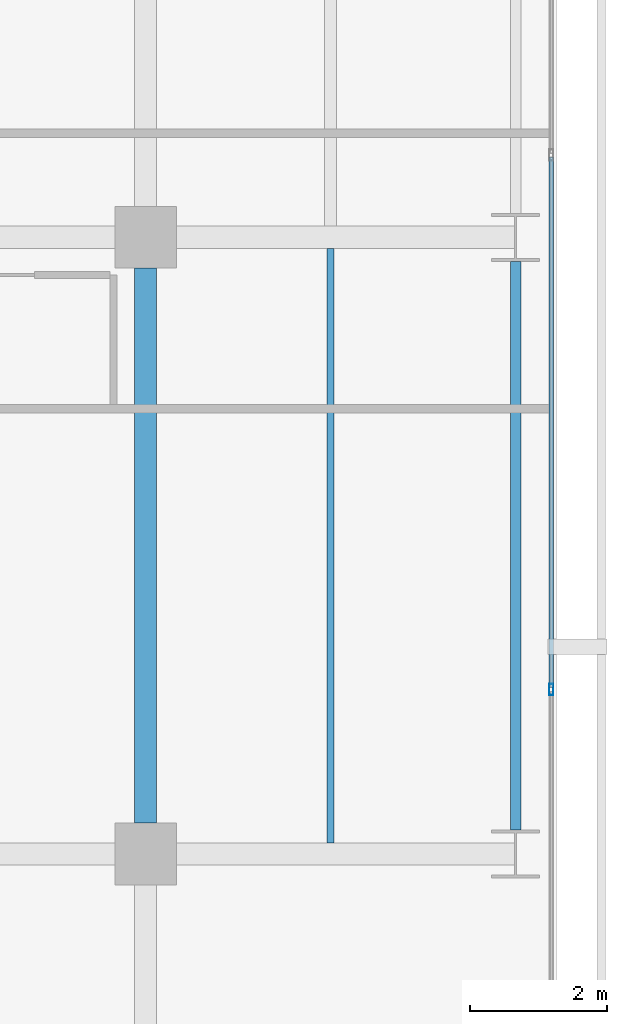
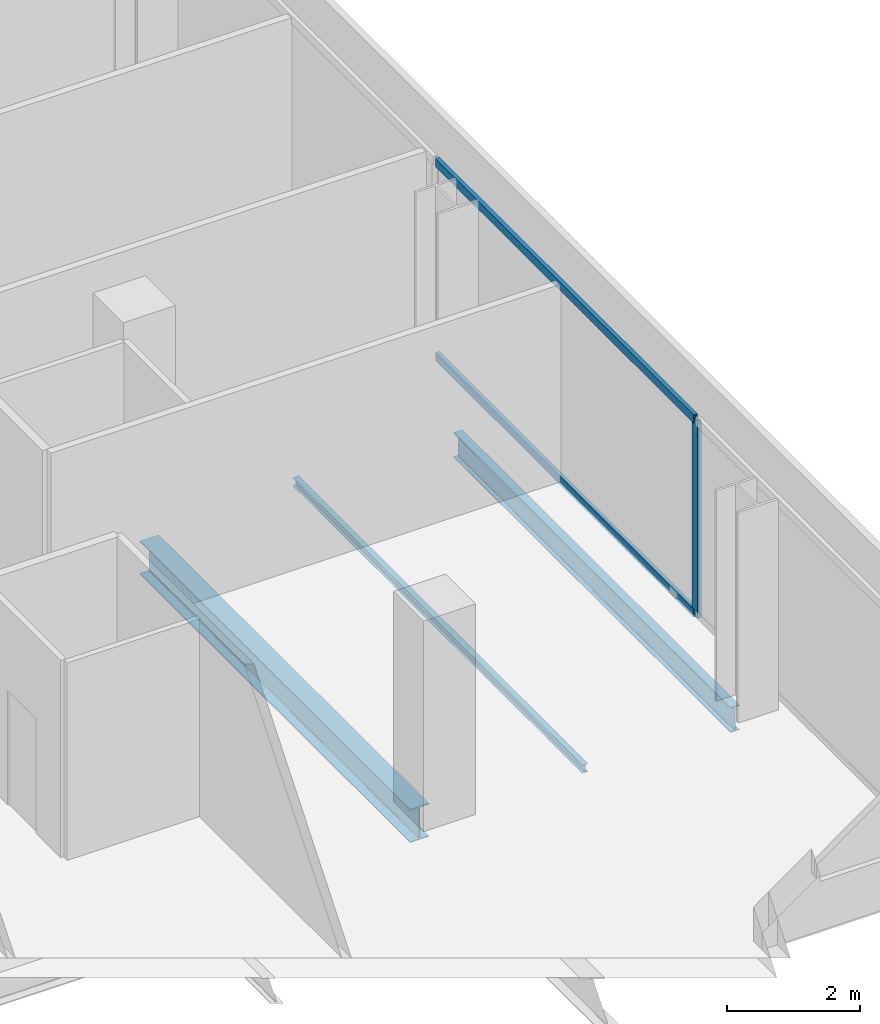
# One storey, part 17 of 40: 3 beams, 3 members, 1 element without a shape of its own.
"""IFC4 building model written with IfcOpenShell, lengths in metres."""

from ifc_helpers import new_model, si_unit, direction, frame, origin, origin_2d, place, context, subcontext, project, spatial, hollow_rectangle, i_section, extrude, material, layer, layer_set, material_profile, profile_set, type_object, element, aggregate, save


model = new_model("IFC4")

# Units and contexts
model_context = context("Model", 3, precision=1e-05, world=origin(), true_north=direction((0.0, 1.0)))
body_context = subcontext(model_context, "Body", "Model", "MODEL_VIEW")
ifc_project = project(units=[si_unit("LENGTHUNIT", "METRE"), si_unit("AREAUNIT", "SQUARE_METRE"), si_unit("VOLUMEUNIT", "CUBIC_METRE"), si_unit("PLANEANGLEUNIT", "RADIAN"), si_unit("MASSUNIT", "GRAM", prefix="KILO")], contexts=[model_context])

# Site, building, storey
site_placement = place(None, origin())
site = spatial("IfcSite", under=ifc_project, at=site_placement, CompositionType="ELEMENT")
building_placement = place(site_placement, origin())
building = spatial("IfcBuilding", under=site, at=building_placement, Name="Maruvema Waterfront Hotel and Observation Tower", CompositionType="ELEMENT")
storey_placement = place(building_placement, frame((0.0, 0.0, 77.0)))
storey = spatial("IfcBuildingStorey", under=building, at=storey_placement, Name="L18", CompositionType="ELEMENT", Elevation=77.0)

# Curtain wall, members
ifc_material_1 = material(Name="Anodised bronze aluminium and solar-control low-E IGU", Category="aluminium")
ifc_layer = layer(ifc_material_1, 0.159912109375, Name="Zone 1 Bronze Inner Thermal Curtain Wall System CW-02")
ifc_layer_set = layer_set([ifc_layer], Name="Anodised bronze aluminium and solar-control low-E IGU")
curtain_wall_type = type_object("IfcCurtainWallType", Name="Zone 1 Bronze Inner Thermal Curtain Wall System CW-02", PredefinedType="USERDEFINED", material=ifc_layer_set)
curtain_wall_placement = place(storey_placement, origin())
curtain_wall = element("IfcCurtainWall", 1, at=curtain_wall_placement, inside=storey, type_object=curtain_wall_type, Name="L18 Curtain Wall CW-L18-E", ObjectType="UNITISED CURTAIN WALL", PredefinedType="USERDEFINED")
ifc_material_2 = material(Name="Anodised architectural bronze aluminium", Category="aluminium")
ifc_material_profile_1 = material_profile(ifc_material_2, hollow_rectangle(XDim=0.070068359375, YDim=0.14990234375, WallThickness=0.00390625, at=origin_2d()), Name="ALU-T70x150")
ifc_profile_set_1 = profile_set([ifc_material_profile_1], Name="Anodised architectural bronze aluminium")
member_type_1 = type_object("IfcMemberType", Name="Curtain Wall Horizontal Transom ALU-T70x150", PredefinedType="USERDEFINED", material=ifc_profile_set_1)
member_1_placement = place(storey_placement, frame((64.719970703125, 11.429931640625, 0.030029296875), z_axis=(0.0, 1.0, 0.0), x_axis=(-1.0, 0.0, 0.0)))
member_1 = element("IfcMember", 2, at=member_1_placement, type_object=member_type_1, Name="CW-02 transom 2.1", ObjectType="TRANSOM", PredefinedType="USERDEFINED", context=body_context, shape_type="SweptSolid", body=[
    extrude(hollow_rectangle(XDim=0.070068359375, YDim=0.14990234375, WallThickness=0.00390625, at=origin_2d()), origin(), (0.0, 0.0, 1.0), 7.739990234375),
])
member_2_placement = place(storey_placement, frame((64.719970703125, 11.429931640625, 3.580078125), z_axis=(0.0, 1.0, 0.0), x_axis=(-1.0, 0.0, 0.0)))
member_2 = element("IfcMember", 3, at=member_2_placement, type_object=member_type_1, Name="CW-02 transom 2.2", ObjectType="TRANSOM", PredefinedType="USERDEFINED", context=body_context, shape_type="SweptSolid", body=[
    extrude(hollow_rectangle(XDim=0.070068359375, YDim=0.14990234375, WallThickness=0.00390625, at=origin_2d()), origin(), (0.0, 0.0, 1.0), 7.739990234375),
])
ifc_material_3 = material(Name="Anodised architectural bronze aluminium", Category="aluminium")
ifc_material_profile_2 = material_profile(ifc_material_3, hollow_rectangle(XDim=0.06494140625, YDim=0.1650390625, WallThickness=0.00390625, at=origin_2d()), Name="ALU-M65x165")
ifc_profile_set_2 = profile_set([ifc_material_profile_2], Name="Anodised architectural bronze aluminium")
member_type_2 = type_object("IfcMemberType", Name="Curtain Wall Primary Mullion ALU-M65x165", PredefinedType="MULLION", material=ifc_profile_set_2)
member_3_placement = place(storey_placement, frame((64.719970703125, 11.39990234375, 0.0), z_axis=(0.0, 0.0, 1.0), x_axis=(-1.0, 0.0, 0.0)))
member_3 = element("IfcMember", 4, at=member_3_placement, type_object=member_type_2, Name="CW-02 mullion 2", PredefinedType="MULLION", context=body_context, shape_type="SweptSolid", body=[
    extrude(hollow_rectangle(XDim=0.06494140625, YDim=0.1650390625, WallThickness=0.00390625, at=origin_2d()), origin(), (0.0, 0.0, 1.0), 3.610107421875),
])
aggregate(curtain_wall, [member_3, member_1, member_2])

# Beams
ifc_material_4 = material(Name="Steel ASTM A572 Grade 50", Category="steel")
ifc_material_profile_3 = material_profile(ifc_material_4, i_section(OverallWidth=0.153076171875, OverallDepth=0.455078125, WebThickness=0.008056640625, FlangeThickness=0.01318359375, FilletRadius=0.014892578125, at=origin_2d()), Name="W460x60.0")
ifc_profile_set_3 = profile_set([ifc_material_profile_3], Name="Steel ASTM A572 Grade 50")
beam_type_1 = type_object("IfcBeamType", Name="Perimeter Spandrel Beam W460x60.0", PredefinedType="SPANDREL", material=ifc_profile_set_3)
beam_1_placement = place(storey_placement, frame((64.199951171875, 9.35009765625, -0.467529296875), z_axis=(0.0, 1.0, 0.0), x_axis=(-1.0, 0.0, 0.0)))
element("IfcBeam", 5, at=beam_1_placement, inside=storey, type_object=beam_type_1, Name="L18 Floor Girder NS-33", PredefinedType="SPANDREL", context=body_context, shape_type="SweptSolid", body=[
    extrude(i_section(OverallWidth=0.153076171875, OverallDepth=0.455078125, WebThickness=0.008056640625, FlangeThickness=0.01318359375, FilletRadius=0.014892578125, at=origin_2d()), origin(), (0.0, 0.0, 1.0), 8.2998046875),
])
ifc_material_5 = material(Name="Steel ASTM A572 Grade 50", Category="steel")
ifc_material_profile_4 = material_profile(ifc_material_5, i_section(OverallWidth=0.323974609375, OverallDepth=0.611083984375, WebThickness=0.0126953125, FlangeThickness=0.01904296875, FilletRadius=0.01806640625, at=origin_2d()), Name="W610x155.0")
ifc_profile_set_4 = profile_set([ifc_material_profile_4], Name="Steel ASTM A572 Grade 50")
beam_type_2 = type_object("IfcBeamType", Name="Primary Floor Girder W610x155.0", PredefinedType="BEAM", material=ifc_profile_set_4)
beam_2_placement = place(storey_placement, frame((58.800048828125, 9.449951171875, -0.54541015625), z_axis=(0.0, 1.0, 0.0), x_axis=(-1.0, 0.0, 0.0)))
element("IfcBeam", 6, at=beam_2_placement, inside=storey, type_object=beam_type_2, Name="L18 Floor Girder NS-28", PredefinedType="BEAM", context=body_context, shape_type="SweptSolid", body=[
    extrude(i_section(OverallWidth=0.323974609375, OverallDepth=0.611083984375, WebThickness=0.0126953125, FlangeThickness=0.01904296875, FilletRadius=0.01806640625, at=origin_2d()), origin(), (0.0, 0.0, 1.0), 8.10009765625),
])
ifc_material_6 = material(Name="Steel ASTM A572 Grade 50", Category="steel")
ifc_material_profile_5 = material_profile(ifc_material_6, i_section(OverallWidth=0.10009765625, OverallDepth=0.153076171875, WebThickness=0.005859375, FlangeThickness=0.007080078125, FilletRadius=0.008056640625, at=origin_2d()), Name="W150x18.0")
ifc_profile_set_5 = profile_set([ifc_material_profile_5], Name="Steel ASTM A572 Grade 50")
beam_type_3 = type_object("IfcBeamType", Name="Secondary Floor Joist W150x18.0", PredefinedType="JOIST", material=ifc_profile_set_5)
beam_3_placement = place(storey_placement, frame((61.5, 9.162109375, -0.31640625), z_axis=(0.0, 1.0, 0.0), x_axis=(-1.0, 0.0, 0.0)))
element("IfcBeam", 7, at=beam_3_placement, inside=storey, type_object=beam_type_3, Name="L18 Secondary Floor Joist JS-21", PredefinedType="JOIST", context=body_context, shape_type="SweptSolid", body=[
    extrude(i_section(OverallWidth=0.10009765625, OverallDepth=0.153076171875, WebThickness=0.005859375, FlangeThickness=0.007080078125, FilletRadius=0.008056640625, at=origin_2d()), origin(), (0.0, 0.0, 1.0), 8.67578125),
])

save(model, "model.ifc")
